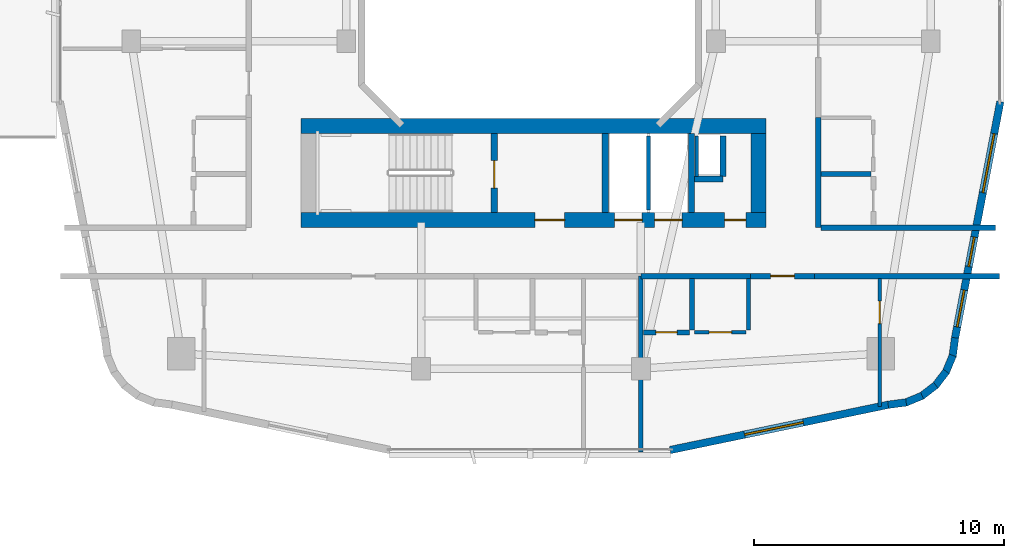
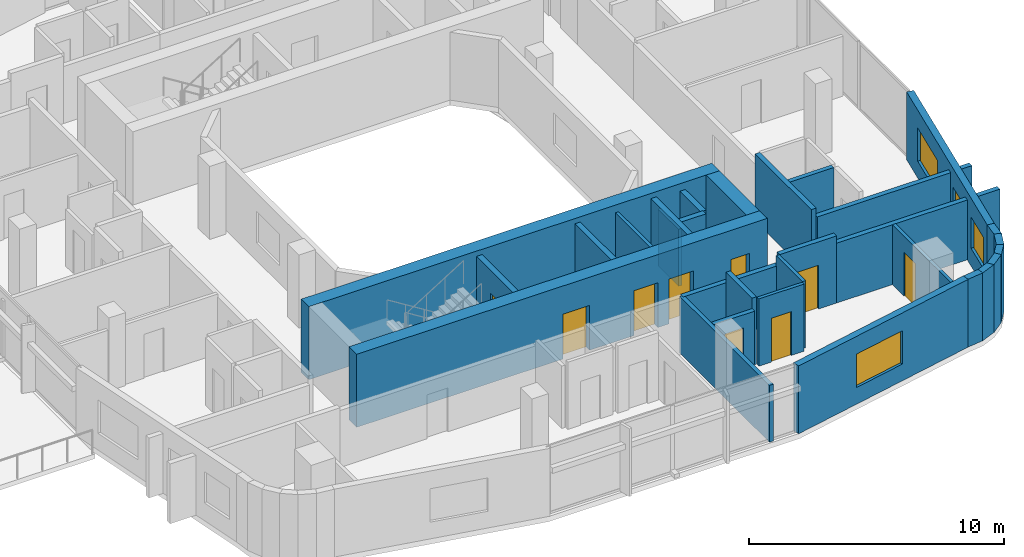
# One storey, part 17 of 25: 30 walls, 9 doors, 4 windows, 13 openings.
"""IFC4 building model written with IfcOpenShell, lengths in metres."""

import ifcopenshell
import ifcopenshell.guid

model = None  # the IFC model being written
_history = None  # IfcOwnerHistory: only IFC2X3 demands one
_inside = {}  # id of a spatial element -> (the spatial element, [elements in it])
_under = {}  # id of a project, library or spatial element -> (it, [spatial elements below it])
_declared = {}  # id of a project -> (the project, [libraries it declares])
_typed = {}  # id of a type object -> (the type object, [elements of that type])
_made_of = {}  # id of a material, layer set ... -> (it, [elements and type objects made of it])


def new_model(schema):
    """Start an empty IFC model of exactly this schema.

    Asked for "IFC4X3", IfcOpenShell would pick the latest addendum, in which some entities
    have other attributes; the version numbers below select the first issue.
    IFC2X3 requires an IfcOwnerHistory on every rooted entity: one is made here for all.
    """
    global model, _history
    if schema == "IFC4X3":
        model = ifcopenshell.file(schema_version=(4, 3, 0, 0))
    else:
        model = ifcopenshell.file(schema=schema)
    _inside.clear()
    _under.clear()
    _declared.clear()
    _typed.clear()
    _made_of.clear()
    _history = None
    if model.schema == "IFC2X3":
        org = make("IfcOrganization", Name="unknown")
        user = make(
            "IfcPersonAndOrganization",
            ThePerson=make("IfcPerson", FamilyName="unknown"),
            TheOrganization=org,
        )
        app = make(
            "IfcApplication",
            ApplicationDeveloper=org,
            Version="unknown",
            ApplicationFullName="unknown",
            ApplicationIdentifier="unknown",
        )
        _history = make(
            "IfcOwnerHistory",
            OwningUser=user,
            OwningApplication=app,
            ChangeAction="ADDED",
            CreationDate=0,
        )
    return model


def make(cls, **values):
    """One entity of the class cls with the attributes given. An attribute that is None is left unset."""
    return model.create_entity(
        cls, **{name: value for name, value in values.items() if value is not None}
    )


def rooted(cls, **values):
    """An entity with a GlobalId (a new one), such as an element, a storey or a relation."""
    return make(cls, GlobalId=ifcopenshell.guid.new(), OwnerHistory=_history, **values)


def si_unit(unit_type, name, prefix=None):
    """IfcSIUnit, for example si_unit("LENGTHUNIT", "METRE", prefix="MILLI")."""
    return make("IfcSIUnit", UnitType=unit_type, Prefix=prefix, Name=name)


def derived_unit(unit_type, elements):
    """IfcDerivedUnit: a product of units, each with its exponent."""
    return make(
        "IfcDerivedUnit",
        Elements=[
            make("IfcDerivedUnitElement", Unit=unit, Exponent=power)
            for unit, power in elements
        ],
        UnitType=unit_type,
    )


def assignment(units):
    """IfcUnitAssignment: the units of a project."""
    return None if units is None else make("IfcUnitAssignment", Units=units)


def point(xyz):
    """IfcCartesianPoint."""
    return None if xyz is None else make("IfcCartesianPoint", Coordinates=xyz)


def direction(xyz):
    """IfcDirection."""
    return None if xyz is None else make("IfcDirection", DirectionRatios=xyz)


def frame(location, z_axis=None, x_axis=None):
    """IfcAxis2Placement3D, a coordinate frame: its origin and axes. An axis left out is left unset."""
    return make(
        "IfcAxis2Placement3D",
        Location=point(location),
        Axis=direction(z_axis),
        RefDirection=direction(x_axis),
    )


def frame_2d(location, x_axis=None):
    """IfcAxis2Placement2D, a coordinate frame in the plane: its origin and x axis."""
    return make(
        "IfcAxis2Placement2D", Location=point(location), RefDirection=direction(x_axis)
    )


def origin():
    """The frame at (0, 0, 0) with its axes left unset."""
    return frame((0.0, 0.0, 0.0))


def place(relative_to, where):
    """IfcLocalPlacement: puts the frame where relative to a parent placement (None: the world)."""
    return make(
        "IfcLocalPlacement", PlacementRelTo=relative_to, RelativePlacement=where
    )


def context(
    kind, dimensions, precision=None, world=None, true_north=None, identifier=None
):
    """IfcGeometricRepresentationContext, for example the 3D "Model" context."""
    return make(
        "IfcGeometricRepresentationContext",
        ContextIdentifier=identifier,
        ContextType=kind,
        CoordinateSpaceDimension=dimensions,
        Precision=precision,
        WorldCoordinateSystem=world,
        TrueNorth=true_north,
    )


def subcontext(parent, identifier, kind, view, scale=None):
    """IfcGeometricRepresentationSubContext, for example "Body" below "Model"."""
    return make(
        "IfcGeometricRepresentationSubContext",
        ContextIdentifier=identifier,
        ContextType=kind,
        ParentContext=parent,
        TargetScale=scale,
        TargetView=view,
    )


def project(units=None, contexts=None):
    """IfcProject with its units and contexts."""
    return rooted(
        "IfcProject",
        Name="project",
        RepresentationContexts=contexts,
        UnitsInContext=assignment(units),
    )


def spatial(cls, under=None, at=None, **own):
    """A site, building, storey or space (cls), placed at a placement, below another one or the project."""
    s = rooted(cls, ObjectPlacement=at, **own)
    if under is not None:
        _under.setdefault(under.id(), (under, []))[1].append(s)
    return s


def profile(cls, at=None, kind="AREA", **sizes):
    """A parametric profile (cls). Its sizes go by their IFC names, for example OverallWidth=200.0."""
    return make(cls, ProfileType=kind, Position=at, **sizes)


def rectangle(**sizes):
    """IfcRectangleProfileDef."""
    return profile("IfcRectangleProfileDef", **sizes)


def extrude(swept, where, along, depth):
    """IfcExtrudedAreaSolid: the profile swept, set in the frame where, extruded along a direction by depth."""
    return make(
        "IfcExtrudedAreaSolid",
        SweptArea=swept,
        Position=where,
        ExtrudedDirection=direction(along),
        Depth=depth,
    )


def shape(context_of_items, identifier, shape_type, items):
    """IfcShapeRepresentation: the items that make up one representation, for example the "Body"."""
    return make(
        "IfcShapeRepresentation",
        ContextOfItems=context_of_items,
        RepresentationIdentifier=identifier,
        RepresentationType=shape_type,
        Items=items,
    )


def material(Name=None, Category=None):
    """IfcMaterial."""
    return make("IfcMaterial", Name=Name, Category=Category)


def layer(
    of_material, thickness, ventilated=None, Name=None, Category=None, Priority=None
):
    """IfcMaterialLayer: one layer of a wall or slab, of a material (None: an air gap)."""
    return make(
        "IfcMaterialLayer",
        Material=of_material,
        LayerThickness=thickness,
        IsVentilated=ventilated,
        Name=Name,
        Category=Category,
        Priority=Priority,
    )


def layer_set(layers, Name=None):
    """IfcMaterialLayerSet."""
    return make("IfcMaterialLayerSet", MaterialLayers=layers, LayerSetName=Name)


def made_of(thing, what):
    """Note that an element or type object is made of a material, layer set ...; save() writes the relation."""
    if what is not None:
        _made_of.setdefault(what.id(), (what, []))[1].append(thing)
    return thing


def type_object(cls, material=None, **own):
    """A type object (cls), such as IfcWallType, which elements share."""
    return made_of(rooted(cls, **own), material)


def element(
    cls,
    number,
    at=None,
    inside=None,
    cuts=None,
    type_object=None,
    material=None,
    context=None,
    identifier="Body",
    shape_type=None,
    held_by="IfcProductDefinitionShape",
    body=None,
    shapes=None,
    **own,
):
    """One element of the class cls, such as IfcWall. Its Tag is "e" and its number.

    at: its placement. inside: the storey or other place that contains it. cuts: it is an
    opening in that element (IfcRelVoidsElement). A single representation is given by context,
    identifier, shape_type and body (its items); several are given by shapes. held_by: the class
    of the entity that holds the representations. save() writes the other relations.
    """
    e = rooted(cls, Tag="e%d" % number, ObjectPlacement=at, **own)
    if body is not None:
        shapes = [shape(context, identifier, shape_type, body)]
    if shapes is not None:
        e.Representation = make(held_by, Representations=shapes)
    if inside is not None:
        _inside.setdefault(inside.id(), (inside, []))[1].append(e)
    if cuts is not None:
        rooted(
            "IfcRelVoidsElement", RelatingBuildingElement=cuts, RelatedOpeningElement=e
        )
    if type_object is not None:
        _typed.setdefault(type_object.id(), (type_object, []))[1].append(e)
    return made_of(e, material)


def fill(opening, filler):
    """IfcRelFillsElement: the door or window that sits in an opening."""
    return rooted(
        "IfcRelFillsElement",
        RelatingOpeningElement=opening,
        RelatedBuildingElement=filler,
    )


def aggregate(whole, parts):
    """IfcRelAggregates: a whole, such as a stair, and the parts it consists of."""
    return rooted("IfcRelAggregates", RelatingObject=whole, RelatedObjects=parts)


def save(model, path):
    """Write the relations noted so far, then the file.

    IfcRelAggregates (storeys below a building ...), IfcRelContainedInSpatialStructure (elements
    in a storey), IfcRelDefinesByType, IfcRelAssociatesMaterial and IfcRelDeclares: one each for
    every whole, place, type object, material and project.
    """
    for whole, parts in _under.values():
        aggregate(whole, parts)
    for where, things in _inside.values():
        rooted(
            "IfcRelContainedInSpatialStructure",
            RelatedElements=things,
            RelatingStructure=where,
        )
    for kind, things in _typed.values():
        rooted("IfcRelDefinesByType", RelatedObjects=things, RelatingType=kind)
    for what, things in _made_of.values():
        rooted("IfcRelAssociatesMaterial", RelatedObjects=things, RelatingMaterial=what)
    for by, libraries in _declared.values():
        rooted("IfcRelDeclares", RelatingContext=by, RelatedDefinitions=libraries)
    model.write(path)


model = new_model("IFC4")

# Units and contexts
model_context = context("Model", 3, precision=1e-05, world=origin(), true_north=direction((0.0, 1.0)))
body_context = subcontext(model_context, "Body", "Model", "MODEL_VIEW")
ifc_project = project(units=[si_unit("LENGTHUNIT", "METRE"), si_unit("AREAUNIT", "SQUARE_METRE"), si_unit("VOLUMEUNIT", "CUBIC_METRE"), si_unit("PLANEANGLEUNIT", "RADIAN"), si_unit("MASSUNIT", "GRAM", prefix="KILO"), derived_unit("THERMALTRANSMITTANCEUNIT", [(si_unit("POWERUNIT", "WATT"), 1), (si_unit("LENGTHUNIT", "METRE"), -2), (si_unit("THERMODYNAMICTEMPERATUREUNIT", "KELVIN"), -1)])], contexts=[model_context])

# Site, building, storey
site_placement = place(None, origin())
site = spatial("IfcSite", under=ifc_project, at=site_placement, CompositionType="ELEMENT")
building_placement = place(site_placement, origin())
building = spatial("IfcBuilding", under=site, at=building_placement, Name="Kivonza Crest Hotel", CompositionType="ELEMENT")
storey_placement = place(building_placement, frame((0.0, 0.0, 24.0)))
storey = spatial("IfcBuildingStorey", under=building, at=storey_placement, Name="L05", CompositionType="ELEMENT", Elevation=24.0)

# Walls
ifc_material_1 = material(Name="High-density acoustic masonry inter-tenancy wall", Category="masonry")
ifc_layer_1 = layer(ifc_material_1, 0.179931640625)
ifc_layer_set_1 = layer_set([ifc_layer_1], Name="High-density acoustic masonry inter-tenancy wall")
wall_type_1 = type_object("IfcWallType", Name="WL-ACOU-180", PredefinedType="SOLIDWALL", material=ifc_layer_set_1)
wall_1_placement = place(storey_placement, frame((81.39990234375, 5.06005859375, 0.0), z_axis=(0.0, 0.0, 1.0), x_axis=(0.0, 1.0, 0.0)))
element("IfcWall", 1, at=wall_1_placement, inside=storey, type_object=wall_type_1, Name="L05 interior partition WA-L05-T2S-DIV1", PredefinedType="SOLIDWALL", context=body_context, shape_type="SweptSolid", body=[
    extrude(rectangle(XDim=7.0400390625, YDim=0.179931640625, at=frame_2d((3.52001953125, 0.0))), origin(), (0.0, 0.0, 1.0), 2.72509765625),
])
ifc_material_2 = material(Name="Autoclaved aerated concrete blockwork", Category="masonry")
ifc_layer_2 = layer(ifc_material_2, 0.219970703125)
ifc_layer_set_2 = layer_set([ifc_layer_2], Name="Autoclaved aerated concrete blockwork")
wall_type_2 = type_object("IfcWallType", Name="WL-ACOU-220", PredefinedType="SOLIDWALL", material=ifc_layer_set_2)
wall_2_placement = place(storey_placement, frame((81.39990234375, 12.10009765625, 0.0), z_axis=(0.0, 0.0, 1.0), x_axis=(1.0, 0.0, 0.0)))
element("IfcWall", 2, at=wall_2_placement, inside=storey, type_object=wall_type_2, Name="L05 interior partition WA-L05-A04-LCORR", PredefinedType="SOLIDWALL", context=body_context, shape_type="SweptSolid", body=[
    extrude(rectangle(XDim=4.380126953125, YDim=0.219970703125, at=frame_2d((2.18994140625, 0.0))), origin(), (0.0, 0.0, 1.0), 2.72509765625),
])
wall_3_placement = place(storey_placement, frame((88.35009765625, 12.10009765625, 0.0), z_axis=(0.0, 0.0, 1.0), x_axis=(1.0, 0.0, 0.0)))
element("IfcWall", 3, at=wall_3_placement, inside=storey, type_object=wall_type_2, Name="L05 interior partition WA-L05-A04-RCORR", PredefinedType="SOLIDWALL", context=body_context, shape_type="SweptSolid", body=[
    extrude(rectangle(XDim=7.409912109375, YDim=0.219970703125, at=frame_2d((3.705078125, 0.0))), origin(), (0.0, 0.0, 1.0), 2.864990234375),
])

# Wall, opening, door
wall_4_placement = place(storey_placement, frame((85.780029296875, 12.10009765625, 0.0), z_axis=(0.0, 0.0, 1.0), x_axis=(1.0, 0.0, 0.0)))
wall_4 = element("IfcWall", 4, at=wall_4_placement, inside=storey, type_object=wall_type_2, Name="L05 interior partition WA-L05-A04-MCORR", PredefinedType="SOLIDWALL", context=body_context, shape_type="SweptSolid", body=[
    extrude(rectangle(XDim=2.570068359375, YDim=0.219970703125, at=frame_2d((1.28515625, 0.0))), origin(), (0.0, 0.0, 1.0), 3.219970703125),
])
opening_1_placement = place(wall_4_placement, frame((0.81005859375, 0.0, 0.0)))
opening_1 = element("IfcOpeningElement", 5, at=opening_1_placement, cuts=wall_4, Name="Opening DU-60", PredefinedType="OPENING", context=body_context, shape_type="SweptSolid", body=[
    extrude(rectangle(XDim=0.949951171875, YDim=2.10009765625, at=frame_2d((0.47509765625, 1.050048828125))), frame((0.0, 0.1201171875, 0.0), z_axis=(0.0, -1.0, 0.0), x_axis=(1.0, 0.0, 0.0)), (0.0, 0.0, 1.0), 0.239990234375),
])
ifc_material_3 = material(Name="Hardwood timber oak", Category="wood")
door_type_1 = type_object("IfcDoorType", Name="DR-UNIT-950", OperationType="NOTDEFINED", PredefinedType="DOOR", material=ifc_material_3)
door_1_placement = place(opening_1_placement, frame((0.949951171875, 0.0, 0.0), z_axis=(0.0, 0.0, 1.0), x_axis=(-1.0, 0.0, 0.0)))
door_1 = element("IfcDoor", 6, at=door_1_placement, inside=storey, type_object=door_type_1, Name="L05 A04 apartment entrance fire door", OperationType="SINGLE_SWING_RIGHT", OverallHeight=2.10009765625, OverallWidth=0.949951171875, PredefinedType="DOOR", context=body_context, shape_type="SweptSolid", body=[
    extrude(rectangle(XDim=0.949951171875, YDim=2.10009765625, at=frame_2d((0.47509765625, 1.050048828125))), frame((0.0, 0.02490234375, 0.0), z_axis=(0.0, -1.0, 0.0), x_axis=(1.0, 0.0, 0.0)), (0.0, 0.0, 1.0), 0.050048828125),
])
fill(opening_1, door_1)

# Walls
wall_5_placement = place(storey_placement, frame((88.60009765625, 14.0400390625, 0.0), z_axis=(0.0, 0.0, 1.0), x_axis=(1.0, 0.0, 0.0)))
element("IfcWall", 7, at=wall_5_placement, inside=storey, type_object=wall_type_2, Name="L05 interior partition WA-L05-T2E-ENDS", PredefinedType="SOLIDWALL", context=body_context, shape_type="SweptSolid", body=[
    extrude(rectangle(XDim=7.0, YDim=0.219970703125, at=frame_2d((3.5, 0.0))), origin(), (0.0, 0.0, 1.0), 2.864990234375),
])
wall_6_placement = place(storey_placement, frame((88.5, 14.0400390625, 0.0), z_axis=(0.0, 0.0, 1.0), x_axis=(0.0, 1.0, 0.0)))
element("IfcWall", 8, at=wall_6_placement, inside=storey, type_object=wall_type_2, Name="L05 interior partition WA-L05-A07-BCORR", PredefinedType="SOLIDWALL", context=body_context, shape_type="SweptSolid", body=[
    extrude(rectangle(XDim=4.39990234375, YDim=0.219970703125, at=frame_2d((2.199951171875, 0.0))), origin(), (0.0, 0.0, 1.0), 3.219970703125),
])

# Wall, openings, doors
ifc_material_4 = material(Name="Concrete C60/75", Category="concrete")
ifc_layer_3 = layer(ifc_material_4, 0.60009765625)
ifc_layer_set_3 = layer_set([ifc_layer_3], Name="Concrete C60/75")
wall_type_3 = type_object("IfcWallType", Name="WL-CORE-600", PredefinedType="SHEAR", material=ifc_layer_set_3)
wall_7_placement = place(storey_placement, frame((67.800048828125, 14.340087890625, 0.0), z_axis=(0.0, 0.0, 1.0), x_axis=(1.0, 0.0, 0.0)))
wall_7 = element("IfcWall", 9, at=wall_7_placement, inside=storey, type_object=wall_type_3, Name="Core wall T2-S South L05", PredefinedType="SHEAR", context=body_context, shape_type="SweptSolid", body=[
    extrude(rectangle(XDim=18.599853515625, YDim=0.60009765625, at=frame_2d((9.2998046875, 0.0))), origin(), (0.0, 0.0, 1.0), 3.5),
])
opening_2_placement = place(wall_7_placement, frame((9.35009765625, 0.0, 0.0)))
opening_2 = element("IfcOpeningElement", 10, at=opening_2_placement, cuts=wall_7, Name="Opening DF-60", PredefinedType="OPENING", context=body_context, shape_type="SweptSolid", body=[
    extrude(rectangle(XDim=1.199951171875, YDim=2.14990234375, at=frame_2d((0.60009765625, 1.074951171875))), frame((0.0, 0.31005859375, 0.0), z_axis=(0.0, -1.0, 0.0), x_axis=(1.0, 0.0, 0.0)), (0.0, 0.0, 1.0), 0.6201171875),
])
opening_3_placement = place(wall_7_placement, frame((16.949951171875, 0.0, 0.0)))
opening_3 = element("IfcOpeningElement", 11, at=opening_3_placement, cuts=wall_7, Name="Opening DF-60R", PredefinedType="OPENING", context=body_context, shape_type="SweptSolid", body=[
    extrude(rectangle(XDim=0.85009765625, YDim=2.10009765625, at=frame_2d((0.425048828125, 1.050048828125))), frame((0.0, 0.31005859375, 0.0), z_axis=(0.0, -1.0, 0.0), x_axis=(1.0, 0.0, 0.0)), (0.0, 0.0, 1.0), 0.6201171875),
])
opening_4_placement = place(wall_7_placement, frame((12.550048828125, 0.0, 0.0)))
opening_4 = element("IfcOpeningElement", 12, at=opening_4_placement, cuts=wall_7, Name="Opening LD-120", PredefinedType="OPENING", context=body_context, shape_type="SweptSolid", body=[
    extrude(rectangle(XDim=1.10009765625, YDim=2.14990234375, at=frame_2d((0.550048828125, 1.074951171875))), frame((0.0, 0.31005859375, 0.0), z_axis=(0.0, -1.0, 0.0), x_axis=(1.0, 0.0, 0.0)), (0.0, 0.0, 1.0), 0.6201171875),
])
opening_5_placement = place(wall_7_placement, frame((14.14990234375, 0.0, 0.0)))
opening_5 = element("IfcOpeningElement", 13, at=opening_5_placement, cuts=wall_7, Name="Opening LD-120", PredefinedType="OPENING", context=body_context, shape_type="SweptSolid", body=[
    extrude(rectangle(XDim=1.10009765625, YDim=2.14990234375, at=frame_2d((0.550048828125, 1.074951171875))), frame((0.0, 0.31005859375, 0.0), z_axis=(0.0, -1.0, 0.0), x_axis=(1.0, 0.0, 0.0)), (0.0, 0.0, 1.0), 0.6201171875),
])
door_type_2 = type_object("IfcDoorType", Name="DR-FD60-1200", OperationType="NOTDEFINED", PredefinedType="DOOR", material=ifc_material_3)
door_2_placement = place(opening_2_placement, frame((1.199951171875, 0.0, 0.0), z_axis=(0.0, 0.0, 1.0), x_axis=(-1.0, 0.0, 0.0)))
door_2 = element("IfcDoor", 14, at=door_2_placement, inside=storey, type_object=door_type_2, Name="L05 T2-S firefighting lobby fire door", OperationType="SINGLE_SWING_LEFT", OverallHeight=2.14990234375, OverallWidth=1.199951171875, PredefinedType="DOOR", context=body_context, shape_type="SweptSolid", body=[
    extrude(rectangle(XDim=1.199951171875, YDim=2.14990234375, at=frame_2d((0.60009765625, 1.074951171875))), frame((0.0, 0.02490234375, 0.0), z_axis=(0.0, -1.0, 0.0), x_axis=(1.0, 0.0, 0.0)), (0.0, 0.0, 1.0), 0.050048828125),
])
fill(opening_2, door_2)
door_type_3 = type_object("IfcDoorType", Name="DR-FD60-850", OperationType="NOTDEFINED", PredefinedType="DOOR", material=ifc_material_3)
door_3_placement = place(opening_3_placement, frame((0.85009765625, 0.0, 0.0), z_axis=(0.0, 0.0, 1.0), x_axis=(-1.0, 0.0, 0.0)))
door_3 = element("IfcDoor", 15, at=door_3_placement, inside=storey, type_object=door_type_3, Name="L05 T2-S core room door", OperationType="SINGLE_SWING_RIGHT", OverallHeight=2.10009765625, OverallWidth=0.85009765625, PredefinedType="DOOR", context=body_context, shape_type="SweptSolid", body=[
    extrude(rectangle(XDim=0.85009765625, YDim=2.10009765625, at=frame_2d((0.425048828125, 1.050048828125))), frame((0.0, 0.02490234375, 0.0), z_axis=(0.0, -1.0, 0.0), x_axis=(1.0, 0.0, 0.0)), (0.0, 0.0, 1.0), 0.050048828125),
])
fill(opening_3, door_3)
ifc_material_5 = material(Name="Stainless steel", Category="steel")
door_type_4 = type_object("IfcDoorType", Name="DR-LD120-1100", OperationType="NOTDEFINED", PredefinedType="DOOR", material=ifc_material_5)
door_4_placement = place(opening_4_placement, frame((1.10009765625, 0.0, 0.0), z_axis=(0.0, 0.0, 1.0), x_axis=(-1.0, 0.0, 0.0)))
door_4 = element("IfcDoor", 16, at=door_4_placement, inside=storey, type_object=door_type_4, Name="L05 PL-T2-1 passenger lift sliding landing door", OperationType="DOUBLE_DOOR_SLIDING", OverallHeight=2.14990234375, OverallWidth=1.10009765625, PredefinedType="DOOR", context=body_context, shape_type="SweptSolid", body=[
    extrude(rectangle(XDim=1.10009765625, YDim=2.14990234375, at=frame_2d((0.550048828125, 1.074951171875))), frame((0.0, 0.02490234375, 0.0), z_axis=(0.0, -1.0, 0.0), x_axis=(1.0, 0.0, 0.0)), (0.0, 0.0, 1.0), 0.050048828125),
])
fill(opening_4, door_4)
door_5_placement = place(opening_5_placement, frame((1.10009765625, 0.0, 0.0), z_axis=(0.0, 0.0, 1.0), x_axis=(-1.0, 0.0, 0.0)))
door_5 = element("IfcDoor", 17, at=door_5_placement, inside=storey, type_object=door_type_4, Name="L05 PL-T2-2 passenger lift sliding landing door", OperationType="DOUBLE_DOOR_SLIDING", OverallHeight=2.14990234375, OverallWidth=1.10009765625, PredefinedType="DOOR", context=body_context, shape_type="SweptSolid", body=[
    extrude(rectangle(XDim=1.10009765625, YDim=2.14990234375, at=frame_2d((0.550048828125, 1.074951171875))), frame((0.0, 0.02490234375, 0.0), z_axis=(0.0, -1.0, 0.0), x_axis=(1.0, 0.0, 0.0)), (0.0, 0.0, 1.0), 0.050048828125),
])
fill(opening_5, door_5)

# Walls
wall_8_placement = place(storey_placement, frame((67.800048828125, 18.10009765625, 0.0), z_axis=(0.0, 0.0, 1.0), x_axis=(1.0, 0.0, 0.0)))
element("IfcWall", 18, at=wall_8_placement, inside=storey, type_object=wall_type_3, Name="Core wall T2-S North L05", PredefinedType="SHEAR", context=body_context, shape_type="SweptSolid", body=[
    extrude(rectangle(XDim=18.599853515625, YDim=0.60009765625, at=frame_2d((9.2998046875, 0.0))), origin(), (0.0, 0.0, 1.0), 3.5),
])
wall_9_placement = place(storey_placement, frame((86.10009765625, 14.639892578125, 0.0), z_axis=(0.0, 0.0, 1.0), x_axis=(0.0, 1.0, 0.0)))
element("IfcWall", 19, at=wall_9_placement, inside=storey, type_object=wall_type_3, Name="Core wall T2-S East L05", PredefinedType="SHEAR", context=body_context, shape_type="SweptSolid", body=[
    extrude(rectangle(XDim=3.16015625, YDim=0.60009765625, at=frame_2d((1.580078125, 0.0))), origin(), (0.0, 0.0, 1.0), 3.5),
])

# Wall, opening, window
ifc_material_6 = material(Name="Precast concrete C40/50", Category="concrete")
ifc_layer_4 = layer(ifc_material_6, 0.300048828125)
ifc_layer_set_4 = layer_set([ifc_layer_4], Name="Precast concrete C40/50")
wall_type_4 = type_object("IfcWallType", Name="WL-EXT-300", PredefinedType="STANDARD", material=ifc_layer_set_4)
wall_10_placement = place(storey_placement, frame((82.56396484375, 5.135986328125, 0.0), z_axis=(0.0, 0.0, 1.0), x_axis=(0.979128391325, 0.203242695569, 0.0)))
wall_10 = element("IfcWall", 20, at=wall_10_placement, inside=storey, type_object=wall_type_4, Name="L05 T2 exterior insulated wall 9", PredefinedType="STANDARD", context=body_context, shape_type="SweptSolid", body=[
    extrude(rectangle(XDim=8.92041015625, YDim=0.300048828125, at=frame_2d((4.460205078125, 0.0))), origin(), (0.0, 0.0, 1.0), 3.25),
])
opening_6_placement = place(wall_10_placement, frame((3.048095703125, 0.0, 0.800048828125)))
opening_6 = element("IfcOpeningElement", 21, at=opening_6_placement, cuts=wall_10, Name="Opening WN-05", PredefinedType="OPENING", context=body_context, shape_type="SweptSolid", body=[
    extrude(rectangle(XDim=2.39990234375, YDim=1.60009765625, at=frame_2d((1.199951171875, 0.800048828125))), frame((0.0, 0.16015625, 0.0), z_axis=(0.0, -1.0, 0.0), x_axis=(1.0, 0.0, 0.0)), (0.0, 0.0, 1.0), 0.320068359375),
])
ifc_material_7 = material(Name="Thermally broken bronze aluminium and low-E double glazing", Category="aluminium")
window_type_1 = type_object("IfcWindowType", Name="WN-240x160", PartitioningType="TRIPLE_PANEL_VERTICAL", PredefinedType="WINDOW", material=ifc_material_7)
window_1_placement = place(opening_6_placement, origin())
window_1 = element("IfcWindow", 22, at=window_1_placement, inside=storey, type_object=window_type_1, Name="L05 T2 facade window 9", OverallHeight=1.60009765625, OverallWidth=2.39990234375, PartitioningType="SINGLE_PANEL", PredefinedType="WINDOW", context=body_context, shape_type="SweptSolid", body=[
    extrude(rectangle(XDim=2.39990234375, YDim=1.60009765625, at=frame_2d((1.199951171875, 0.800048828125))), frame((0.0, 0.030029296875, 0.0), z_axis=(0.0, -1.0, 0.0), x_axis=(1.0, 0.0, 0.0)), (0.0, 0.0, 1.0), 0.06005859375),
])
fill(opening_6, window_1)

# Walls
wall_11_placement = place(storey_placement, frame((91.29296875, 6.947998046875, 0.0), z_axis=(0.0, 0.0, 1.0), x_axis=(0.991486167159, 0.13021205909, 0.0)))
element("IfcWall", 23, at=wall_11_placement, inside=storey, type_object=wall_type_4, Name="L05 T2 exterior insulated wall 10", PredefinedType="STANDARD", context=body_context, shape_type="SweptSolid", body=[
    extrude(rectangle(XDim=0.729248046875, YDim=0.300048828125, at=frame_2d((0.36474609375, 0.0))), origin(), (0.0, 0.0, 1.0), 3.25),
])
for number, where, z_axis, x_axis, name in (
    (24, (91.965087890625, 7.02392578125, 0.0), (0.0, 0.0, 1.0), (0.923521684703, 0.383546213491, 0.0), "L05 T2 exterior insulated wall 11"),
    (25, (92.60888671875, 7.279052734375, 0.0), (0.0, 0.0, 1.0), (0.79363269798, 0.608397189915, 0.0), "L05 T2 exterior insulated wall 12"),
    (26, (93.166015625, 7.69091796875, 0.0), (0.0, 0.0, 1.0), (0.608603261071, 0.793474681772, 0.0), "L05 T2 exterior insulated wall 13"),
):
    element("IfcWall", number, at=place(storey_placement, frame(where, z_axis=z_axis, x_axis=x_axis)), inside=storey, type_object=wall_type_4, Name=name, PredefinedType="STANDARD", context=body_context, shape_type="SweptSolid", body=[
        extrude(rectangle(XDim=0.74609375, YDim=0.300048828125, at=frame_2d((0.373046875, 0.0))), origin(), (0.0, 0.0, 1.0), 3.25),
    ])
wall_12_placement = place(storey_placement, frame((93.595947265625, 8.23388671875, 0.0), z_axis=(0.0, 0.0, 1.0), x_axis=(0.383430326427, 0.923569805037, 0.0)))
element("IfcWall", 27, at=wall_12_placement, inside=storey, type_object=wall_type_4, Name="L05 T2 exterior insulated wall 14", PredefinedType="STANDARD", context=body_context, shape_type="SweptSolid", body=[
    extrude(rectangle(XDim=0.746337890625, YDim=0.300048828125, at=frame_2d((0.373046875, 0.0))), origin(), (0.0, 0.0, 1.0), 3.25),
])
wall_13_placement = place(storey_placement, frame((93.873046875, 8.868896484375, 0.0), z_axis=(0.0, 0.0, 1.0), x_axis=(0.129339184068, 0.991600411186, 0.0)))
element("IfcWall", 28, at=wall_13_placement, inside=storey, type_object=wall_type_4, Name="L05 T2 exterior insulated wall 15", PredefinedType="STANDARD", context=body_context, shape_type="SweptSolid", body=[
    extrude(rectangle(XDim=0.764404296875, YDim=0.300048828125, at=frame_2d((0.38232421875, 0.0))), origin(), (0.0, 0.0, 1.0), 3.25),
])

# Wall, openings, windows
wall_14_placement = place(storey_placement, frame((93.970947265625, 9.6201171875, 0.0), z_axis=(0.0, 0.0, 1.0), x_axis=(0.188087874316, 0.982152203854, 0.0)))
wall_14 = element("IfcWall", 29, at=wall_14_placement, inside=storey, type_object=wall_type_4, Name="L05 T2 exterior insulated wall 16", PredefinedType="STANDARD", context=body_context, shape_type="SweptSolid", body=[
    extrude(rectangle(XDim=9.6337890625, YDim=0.300048828125, at=frame_2d((4.81689453125, 0.0))), origin(), (0.0, 0.0, 1.0), 3.25),
])
opening_7_placement = place(wall_14_placement, frame((0.451904296875, 0.0, 0.85009765625)))
opening_7 = element("IfcOpeningElement", 30, at=opening_7_placement, cuts=wall_14, Name="Opening WN-02", PredefinedType="OPENING", context=body_context, shape_type="SweptSolid", body=[
    extrude(rectangle(XDim=1.5, YDim=1.5, at=frame_2d((0.75, 0.75))), frame((0.0, 0.16015625, 0.0), z_axis=(0.0, -1.0, 0.0), x_axis=(1.0, 0.0, 0.0)), (0.0, 0.0, 1.0), 0.320068359375),
])
opening_8_placement = place(wall_14_placement, frame((2.9130859375, 0.0, 0.85009765625)))
opening_8 = element("IfcOpeningElement", 31, at=opening_8_placement, cuts=wall_14, Name="Opening WN-01", PredefinedType="OPENING", context=body_context, shape_type="SweptSolid", body=[
    extrude(rectangle(XDim=1.199951171875, YDim=1.5, at=frame_2d((0.60009765625, 0.75))), frame((0.0, 0.16015625, 0.0), z_axis=(0.0, -1.0, 0.0), x_axis=(1.0, 0.0, 0.0)), (0.0, 0.0, 1.0), 0.320068359375),
])
opening_9_placement = place(wall_14_placement, frame((5.927978515625, 0.0, 0.800048828125)))
opening_9 = element("IfcOpeningElement", 32, at=opening_9_placement, cuts=wall_14, Name="Opening WN-05", PredefinedType="OPENING", context=body_context, shape_type="SweptSolid", body=[
    extrude(rectangle(XDim=2.39990234375, YDim=1.60009765625, at=frame_2d((1.199951171875, 0.800048828125))), frame((0.0, 0.16015625, 0.0), z_axis=(0.0, -1.0, 0.0), x_axis=(1.0, 0.0, 0.0)), (0.0, 0.0, 1.0), 0.320068359375),
])
window_type_2 = type_object("IfcWindowType", Name="WN-120x150", PartitioningType="SINGLE_PANEL", PredefinedType="WINDOW", material=ifc_material_7)
window_2_placement = place(opening_8_placement, origin())
window_2 = element("IfcWindow", 33, at=window_2_placement, inside=storey, type_object=window_type_2, Name="L05 T2 facade window 16 bay 2", OverallHeight=1.5, OverallWidth=1.199951171875, PartitioningType="SINGLE_PANEL", PredefinedType="WINDOW", context=body_context, shape_type="SweptSolid", body=[
    extrude(rectangle(XDim=1.199951171875, YDim=1.5, at=frame_2d((0.60009765625, 0.75))), frame((0.0, 0.030029296875, 0.0), z_axis=(0.0, -1.0, 0.0), x_axis=(1.0, 0.0, 0.0)), (0.0, 0.0, 1.0), 0.06005859375),
])
fill(opening_8, window_2)
window_type_3 = type_object("IfcWindowType", Name="WN-150x150", PartitioningType="DOUBLE_PANEL_VERTICAL", PredefinedType="WINDOW", material=ifc_material_7)
window_3_placement = place(opening_7_placement, origin())
window_3 = element("IfcWindow", 34, at=window_3_placement, inside=storey, type_object=window_type_3, Name="L05 T2 facade window 16 bay 1", OverallHeight=1.5, OverallWidth=1.5, PartitioningType="SINGLE_PANEL", PredefinedType="WINDOW", context=body_context, shape_type="SweptSolid", body=[
    extrude(rectangle(XDim=1.5, YDim=1.5, at=frame_2d((0.75, 0.75))), frame((0.0, 0.030029296875, 0.0), z_axis=(0.0, -1.0, 0.0), x_axis=(1.0, 0.0, 0.0)), (0.0, 0.0, 1.0), 0.06005859375),
])
fill(opening_7, window_3)
window_4_placement = place(opening_9_placement, origin())
window_4 = element("IfcWindow", 35, at=window_4_placement, inside=storey, type_object=window_type_1, Name="L05 T2 facade window 16 bay 3", OverallHeight=1.60009765625, OverallWidth=2.39990234375, PartitioningType="SINGLE_PANEL", PredefinedType="WINDOW", context=body_context, shape_type="SweptSolid", body=[
    extrude(rectangle(XDim=2.39990234375, YDim=1.60009765625, at=frame_2d((1.199951171875, 0.800048828125))), frame((0.0, 0.030029296875, 0.0), z_axis=(0.0, -1.0, 0.0), x_axis=(1.0, 0.0, 0.0)), (0.0, 0.0, 1.0), 0.06005859375),
])
fill(opening_9, window_4)

# Walls
ifc_material_8 = material(Name="Concrete blockwork fire-compartment wall", Category="masonry")
ifc_layer_5 = layer(ifc_material_8, 0.25)
ifc_layer_set_5 = layer_set([ifc_layer_5], Name="Concrete blockwork fire-compartment wall")
wall_type_5 = type_object("IfcWallType", Name="WL-FIRE-250", PredefinedType="SOLIDWALL", material=ifc_layer_set_5)
wall_15_placement = place(storey_placement, frame((84.679931640625, 16.080078125, 0.0), z_axis=(0.0, 0.0, 1.0), x_axis=(0.0, 1.0, 0.0)))
element("IfcWall", 36, at=wall_15_placement, inside=storey, type_object=wall_type_5, Name="L05 interior partition WA-L05-T2-S-MEPR-E", PredefinedType="SOLIDWALL", context=body_context, shape_type="SweptSolid", body=[
    extrude(rectangle(XDim=1.619873046875, YDim=0.25, at=frame_2d((0.81005859375, 0.0))), origin(), (0.0, 0.0, 1.0), 3.219970703125),
])
wall_16_placement = place(storey_placement, frame((83.550048828125, 15.97998046875, 0.0), z_axis=(0.0, 0.0, 1.0), x_axis=(1.0, 0.0, 0.0)))
element("IfcWall", 37, at=wall_16_placement, inside=storey, type_object=wall_type_5, Name="L05 interior partition WA-L05-T2-S-MEPR-H", PredefinedType="SOLIDWALL", context=body_context, shape_type="SweptSolid", body=[
    extrude(rectangle(XDim=1.1298828125, YDim=0.25, at=frame_2d((0.56494140625, 0.0))), origin(), (0.0, 0.0, 1.0), 3.219970703125),
])
ifc_material_9 = material(Name="Twin-stud acoustic gypsum board partition", Category="gypsum")
ifc_layer_6 = layer(ifc_material_9, 0.14990234375)
ifc_layer_set_6 = layer_set([ifc_layer_6], Name="Twin-stud acoustic gypsum board partition")
wall_type_6 = type_object("IfcWallType", Name="WL-PART-150", PredefinedType="PARTITIONING", material=ifc_layer_set_6)
wall_17_placement = place(storey_placement, frame((83.6298828125, 16.080078125, 0.0), z_axis=(0.0, 0.0, 1.0), x_axis=(0.0, 1.0, 0.0)))
element("IfcWall", 38, at=wall_17_placement, inside=storey, type_object=wall_type_6, Name="L05 interior partition WA-L05-T2-S-MEPR-W", PredefinedType="PARTITIONING", context=body_context, shape_type="SweptSolid", body=[
    extrude(rectangle(XDim=1.619873046875, YDim=0.14990234375, at=frame_2d((0.81005859375, 0.0))), origin(), (0.0, 0.0, 1.0), 2.72509765625),
])
wall_18_placement = place(storey_placement, frame((81.699951171875, 14.739990234375, 0.0), z_axis=(0.0, 0.0, 1.0), x_axis=(0.0, 1.0, 0.0)))
element("IfcWall", 39, at=wall_18_placement, inside=storey, type_object=wall_type_6, Name="L05 interior partition WP-L05-T2-S-BSH-1", PredefinedType="PARTITIONING", context=body_context, shape_type="SweptSolid", body=[
    extrude(rectangle(XDim=2.9599609375, YDim=0.14990234375, at=frame_2d((1.47998046875, 0.0))), origin(), (0.0, 0.0, 1.0), 3.219970703125),
])

# Wall, opening, door
wall_19_placement = place(storey_placement, frame((90.9599609375, 6.886962890625, 0.0), z_axis=(0.0, 0.0, 1.0), x_axis=(0.0, 1.0, 0.0)))
wall_19 = element("IfcWall", 40, at=wall_19_placement, inside=storey, type_object=wall_type_6, Name="L05 interior partition WP-L05-A04-BDW1", PredefinedType="PARTITIONING", context=body_context, shape_type="SweptSolid", body=[
    extrude(rectangle(XDim=5.113037109375, YDim=0.14990234375, at=frame_2d((2.556640625, 0.0))), origin(), (0.0, 0.0, 1.0), 2.864990234375),
])
opening_10_placement = place(wall_19_placement, frame((3.31005859375, 0.0, 0.0)))
opening_10 = element("IfcOpeningElement", 41, at=opening_10_placement, cuts=wall_19, Name="Opening DI-90", PredefinedType="OPENING", context=body_context, shape_type="SweptSolid", body=[
    extrude(rectangle(XDim=0.89990234375, YDim=2.10009765625, at=frame_2d((0.449951171875, 1.050048828125))), frame((0.0, 0.0849609375, 0.0), z_axis=(0.0, -1.0, 0.0), x_axis=(1.0, 0.0, 0.0)), (0.0, 0.0, 1.0), 0.169921875),
])
door_type_5 = type_object("IfcDoorType", Name="DR-INT-900", OperationType="NOTDEFINED", PredefinedType="DOOR", material=ifc_material_3)
door_6_placement = place(opening_10_placement, origin())
door_6 = element("IfcDoor", 42, at=door_6_placement, inside=storey, type_object=door_type_5, Name="L05 A04 bedroom 1 door", OperationType="SINGLE_SWING_LEFT", OverallHeight=2.10009765625, OverallWidth=0.89990234375, PredefinedType="DOOR", context=body_context, shape_type="SweptSolid", body=[
    extrude(rectangle(XDim=0.89990234375, YDim=2.10009765625, at=frame_2d((0.449951171875, 1.050048828125))), frame((0.0, 0.02490234375, 0.0), z_axis=(0.0, -1.0, 0.0), x_axis=(1.0, 0.0, 0.0)), (0.0, 0.0, 1.0), 0.050048828125),
])
fill(opening_10, door_6)

# Wall
wall_20_placement = place(storey_placement, frame((85.699951171875, 9.949951171875, 0.0), z_axis=(0.0, 0.0, 1.0), x_axis=(0.0, 1.0, 0.0)))
element("IfcWall", 43, at=wall_20_placement, inside=storey, type_object=wall_type_6, Name="L05 interior partition WP-L05-A04-KF", PredefinedType="PARTITIONING", context=body_context, shape_type="SweptSolid", body=[
    extrude(rectangle(XDim=2.050048828125, YDim=0.14990234375, at=frame_2d((1.02490234375, 0.0))), origin(), (0.0, 0.0, 1.0), 3.219970703125),
])

# Wall, opening, door
wall_21_placement = place(storey_placement, frame((83.550048828125, 9.85009765625, 0.0), z_axis=(0.0, 0.0, 1.0), x_axis=(1.0, 0.0, 0.0)))
wall_21 = element("IfcWall", 44, at=wall_21_placement, inside=storey, type_object=wall_type_6, Name="L05 interior partition WP-L05-A04-KSVC", PredefinedType="PARTITIONING", context=body_context, shape_type="SweptSolid", body=[
    extrude(rectangle(XDim=2.050048828125, YDim=0.14990234375, at=frame_2d((1.02490234375, 0.0))), origin(), (0.0, 0.0, 1.0), 3.219970703125),
])
opening_11_placement = place(wall_21_placement, frame((0.574951171875, 0.0, 0.0)))
opening_11 = element("IfcOpeningElement", 45, at=opening_11_placement, cuts=wall_21, Name="Opening DI-90", PredefinedType="OPENING", context=body_context, shape_type="SweptSolid", body=[
    extrude(rectangle(XDim=0.89990234375, YDim=2.10009765625, at=frame_2d((0.449951171875, 1.050048828125))), frame((0.0, 0.0849609375, 0.0), z_axis=(0.0, -1.0, 0.0), x_axis=(1.0, 0.0, 0.0)), (0.0, 0.0, 1.0), 0.169921875),
])
door_7_placement = place(opening_11_placement, frame((0.89990234375, 0.0, 0.0), z_axis=(0.0, 0.0, 1.0), x_axis=(-1.0, 0.0, 0.0)))
door_7 = element("IfcDoor", 46, at=door_7_placement, inside=storey, type_object=door_type_5, Name="L05 A04 apartment kitchen door", OperationType="SINGLE_SWING_RIGHT", OverallHeight=2.10009765625, OverallWidth=0.89990234375, PredefinedType="DOOR", context=body_context, shape_type="SweptSolid", body=[
    extrude(rectangle(XDim=0.89990234375, YDim=2.10009765625, at=frame_2d((0.449951171875, 1.050048828125))), frame((0.0, 0.02490234375, 0.0), z_axis=(0.0, -1.0, 0.0), x_axis=(1.0, 0.0, 0.0)), (0.0, 0.0, 1.0), 0.050048828125),
])
fill(opening_11, door_7)

# Wall
ifc_material_10 = material(Name="Moisture-resistant plumbing chase partition wall", Category="gypsum")
ifc_layer_7 = layer(ifc_material_10, 0.199951171875)
ifc_layer_set_7 = layer_set([ifc_layer_7], Name="Moisture-resistant plumbing chase partition wall")
wall_type_7 = type_object("IfcWallType", Name="WL-PLUMB-200", PredefinedType="PLUMBINGWALL", material=ifc_layer_set_7)
wall_22_placement = place(storey_placement, frame((83.449951171875, 9.949951171875, 0.0), z_axis=(0.0, 0.0, 1.0), x_axis=(0.0, 1.0, 0.0)))
element("IfcWall", 47, at=wall_22_placement, inside=storey, type_object=wall_type_7, Name="L05 interior partition WW-L05-A04-BK", PredefinedType="PLUMBINGWALL", context=body_context, shape_type="SweptSolid", body=[
    extrude(rectangle(XDim=2.050048828125, YDim=0.199951171875, at=frame_2d((1.02490234375, 0.0))), origin(), (0.0, 0.0, 1.0), 3.219970703125),
])

# Wall, opening, door
wall_23_placement = place(storey_placement, frame((81.5, 9.85009765625, 0.0), z_axis=(0.0, 0.0, 1.0), x_axis=(1.0, 0.0, 0.0)))
wall_23 = element("IfcWall", 48, at=wall_23_placement, inside=storey, type_object=wall_type_7, Name="L05 interior partition WW-L05-A04-BSVC", PredefinedType="PLUMBINGWALL", context=body_context, shape_type="SweptSolid", body=[
    extrude(rectangle(XDim=1.85009765625, YDim=0.199951171875, at=frame_2d((0.925048828125, 0.0))), origin(), (0.0, 0.0, 1.0), 2.72509765625),
])
opening_12_placement = place(wall_23_placement, frame((0.5, 0.0, 0.0)))
opening_12 = element("IfcOpeningElement", 49, at=opening_12_placement, cuts=wall_23, Name="Opening DI-85", PredefinedType="OPENING", context=body_context, shape_type="SweptSolid", body=[
    extrude(rectangle(XDim=0.85009765625, YDim=2.10009765625, at=frame_2d((0.425048828125, 1.050048828125))), frame((0.0, 0.10986328125, 0.0), z_axis=(0.0, -1.0, 0.0), x_axis=(1.0, 0.0, 0.0)), (0.0, 0.0, 1.0), 0.219970703125),
])
door_type_6 = type_object("IfcDoorType", Name="DR-INT-850", OperationType="NOTDEFINED", PredefinedType="DOOR", material=ifc_material_3)
door_8_placement = place(opening_12_placement, frame((0.85009765625, 0.0, 0.0), z_axis=(0.0, 0.0, 1.0), x_axis=(-1.0, 0.0, 0.0)))
door_8 = element("IfcDoor", 50, at=door_8_placement, inside=storey, type_object=door_type_6, Name="L05 A04 apartment bathroom door", OperationType="SINGLE_SWING_LEFT", OverallHeight=2.10009765625, OverallWidth=0.85009765625, PredefinedType="DOOR", context=body_context, shape_type="SweptSolid", body=[
    extrude(rectangle(XDim=0.85009765625, YDim=2.10009765625, at=frame_2d((0.425048828125, 1.050048828125))), frame((0.0, 0.02490234375, 0.0), z_axis=(0.0, -1.0, 0.0), x_axis=(1.0, 0.0, 0.0)), (0.0, 0.0, 1.0), 0.050048828125),
])
fill(opening_12, door_8)

# Wall
wall_24_placement = place(storey_placement, frame((88.60009765625, 16.18994140625, 0.0), z_axis=(0.0, 0.0, 1.0), x_axis=(1.0, 0.0, 0.0)))
element("IfcWall", 51, at=wall_24_placement, inside=storey, type_object=wall_type_7, Name="L05 interior partition WW-L05-A07-BK", PredefinedType="PLUMBINGWALL", context=body_context, shape_type="SweptSolid", body=[
    extrude(rectangle(XDim=2.0, YDim=0.199951171875, at=frame_2d((1.0, 0.0))), origin(), (0.0, 0.0, 1.0), 3.219970703125),
])

# Wall, opening, door
ifc_material_11 = material(Name="Concrete C50/60", Category="concrete")
ifc_layer_8 = layer(ifc_material_11, 0.25)
ifc_layer_set_8 = layer_set([ifc_layer_8], Name="Concrete C50/60")
wall_type_8 = type_object("IfcWallType", Name="WL-SHAFT-250", PredefinedType="STANDARD", material=ifc_layer_set_8)
wall_25_placement = place(storey_placement, frame((75.52490234375, 14.639892578125, 0.0), z_axis=(0.0, 0.0, 1.0), x_axis=(0.0, 1.0, 0.0)))
wall_25 = element("IfcWall", 52, at=wall_25_placement, inside=storey, type_object=wall_type_8, Name="Core shaft wall T2-S STAIR L05", PredefinedType="STANDARD", context=body_context, shape_type="SweptSolid", body=[
    extrude(rectangle(XDim=3.16015625, YDim=0.25, at=frame_2d((1.580078125, 0.0))), origin(), (0.0, 0.0, 1.0), 3.25),
])
opening_13_placement = place(wall_25_placement, frame((0.97998046875, 0.0, 0.0)))
opening_13 = element("IfcOpeningElement", 53, at=opening_13_placement, cuts=wall_25, Name="Opening DF-120", PredefinedType="OPENING", context=body_context, shape_type="SweptSolid", body=[
    extrude(rectangle(XDim=1.10009765625, YDim=2.14990234375, at=frame_2d((0.550048828125, 1.074951171875))), frame((0.0, 0.135009765625, 0.0), z_axis=(0.0, -1.0, 0.0), x_axis=(1.0, 0.0, 0.0)), (0.0, 0.0, 1.0), 0.27001953125),
])
ifc_material_12 = material(Name="Galvanised steel", Category="steel")
door_type_7 = type_object("IfcDoorType", Name="DR-FD120-1100", OperationType="NOTDEFINED", PredefinedType="DOOR", material=ifc_material_12)
door_9_placement = place(opening_13_placement, frame((1.10009765625, 0.0, 0.0), z_axis=(0.0, 0.0, 1.0), x_axis=(-1.0, 0.0, 0.0)))
door_9 = element("IfcDoor", 54, at=door_9_placement, inside=storey, type_object=door_type_7, Name="L05 T2-S stair fire door", OperationType="SINGLE_SWING_RIGHT", OverallHeight=2.14990234375, OverallWidth=1.10009765625, PredefinedType="DOOR", context=body_context, shape_type="SweptSolid", body=[
    extrude(rectangle(XDim=1.10009765625, YDim=2.14990234375, at=frame_2d((0.550048828125, 1.074951171875))), frame((0.0, 0.02490234375, 0.0), z_axis=(0.0, -1.0, 0.0), x_axis=(1.0, 0.0, 0.0)), (0.0, 0.0, 1.0), 0.050048828125),
])
fill(opening_13, door_9)

# Walls
for number, where, z_axis, x_axis, name in (
    (55, (79.97509765625, 14.639892578125, 0.0), (0.0, 0.0, 1.0), (0.0, 1.0, 0.0), "Core shaft wall T2-S BANK-W L05"),
    (56, (83.425048828125, 14.639892578125, 0.0), (0.0, 0.0, 1.0), (0.0, 1.0, 0.0), "Core shaft wall T2-S BANK-E L05"),
):
    element("IfcWall", number, at=place(storey_placement, frame(where, z_axis=z_axis, x_axis=x_axis)), inside=storey, type_object=wall_type_8, Name=name, PredefinedType="STANDARD", context=body_context, shape_type="SweptSolid", body=[
        extrude(rectangle(XDim=3.16015625, YDim=0.25, at=frame_2d((1.580078125, 0.0))), origin(), (0.0, 0.0, 1.0), 3.25),
    ])

save(model, "model.ifc")
